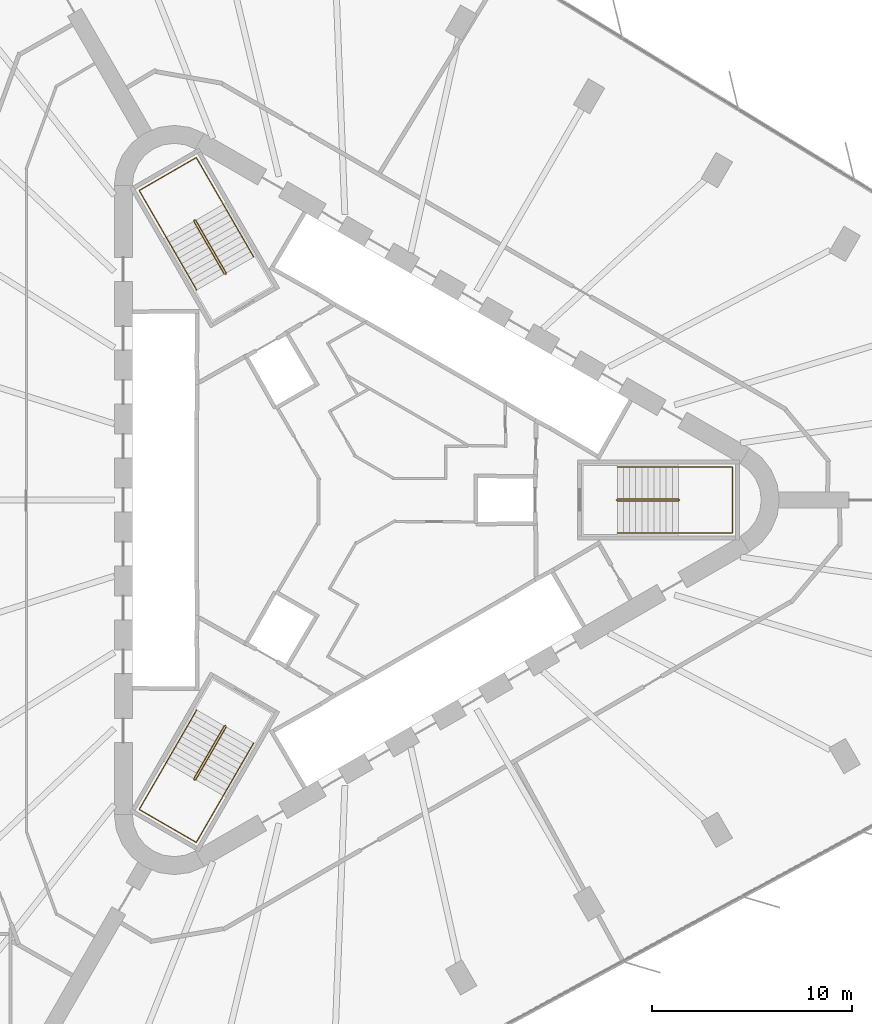
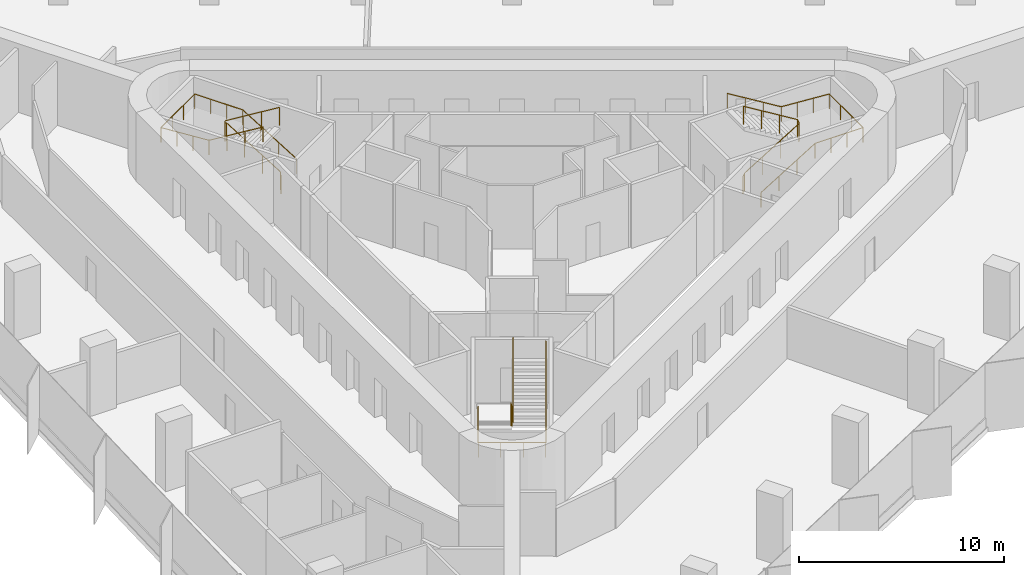
# One storey, part 13 of 13: 6 railings.
"""IFC4 building model written with IfcOpenShell, lengths in metres."""

from ifc_helpers import new_model, si_unit, direction, frame, origin, origin_2d, place, context, subcontext, project, spatial, circle, extrude, material, type_object, element, save


model = new_model("IFC4")

# Units and contexts
model_context = context("Model", 3, precision=1e-05, world=origin(), true_north=direction((0.0, 1.0)))
body_context = subcontext(model_context, "Body", "Model", "MODEL_VIEW")
ifc_project = project(units=[si_unit("LENGTHUNIT", "METRE"), si_unit("AREAUNIT", "SQUARE_METRE"), si_unit("VOLUMEUNIT", "CUBIC_METRE"), si_unit("PLANEANGLEUNIT", "RADIAN"), si_unit("MASSUNIT", "GRAM", prefix="KILO")], contexts=[model_context])

# Site, building, storey
site_placement = place(None, origin())
site = spatial("IfcSite", under=ifc_project, at=site_placement, CompositionType="ELEMENT")
building_placement = place(site_placement, origin())
building = spatial("IfcBuilding", under=site, at=building_placement, Name="Tanit Gate Tower", CompositionType="ELEMENT")
storey_placement = place(building_placement, frame((0.0, 0.0, 57.800048828125)))
storey = spatial("IfcBuildingStorey", under=building, at=storey_placement, Name="L10", CompositionType="ELEMENT", Elevation=57.800048828125)

# Railings
ifc_material_1 = material(Name="Stainless steel balustrade", Category="steel")
railing_type_1 = type_object("IfcRailingType", Name="INT-STAIR-GUARD", PredefinedType="GUARDRAIL", material=ifc_material_1)
railing_1_placement = place(storey_placement, frame((13.044921875, 0.0048828125, 0.0)))
element("IfcRailing", 1, at=railing_1_placement, inside=storey, type_object=railing_type_1, Name="L10 S1 stair guard 1", PredefinedType="GUARDRAIL", context=body_context, shape_type="SweptSolid", body=[
    extrude(circle(Radius=0.02392578125, at=origin_2d()), frame((0.0, 0.0, 1.076171875), z_axis=(0.0, -1.0, 0.0), x_axis=(1.0, 0.0, 0.0)), (0.0, 0.0, 1.0), 0.009765625),
    extrude(circle(Radius=0.02392578125, at=origin_2d()), frame((0.0, -0.009765625, 1.076171875), z_axis=(0.251157038772, -0.251157038772, 0.934794246747), x_axis=(0.707106781187, 0.707106781187, 0.0)), (0.0, 0.0, 1.0), 0.19921875),
    extrude(circle(Radius=0.02392578125, at=origin_2d()), frame((0.050048828125, -0.059814453125, 1.26220703125), z_axis=(0.853374658889, 0.0, 0.521298083217), x_axis=(0.0, 1.0, 0.0)), (0.0, 0.0, 1.0), 3.5751953125),
    extrude(circle(Radius=0.02392578125, at=origin_2d()), frame((3.10107421875, -0.059814453125, 3.1259765625), z_axis=(0.707106781187, 0.707106781187, 0.0), x_axis=(-0.707106781187, 0.707106781187, 0.0)), (0.0, 0.0, 1.0), 0.07080078125),
    extrude(circle(Radius=0.02392578125, at=origin_2d()), frame((3.151123046875, -0.009765625, 3.1259765625), z_axis=(0.0, 1.0, 0.0), x_axis=(-1.0, 0.0, 0.0)), (0.0, 0.0, 1.0), 0.009765625),
    extrude(circle(Radius=0.02392578125, at=origin_2d()), frame((3.151123046875, 0.0, 3.1259765625), z_axis=(-0.251157038772, 0.251157038772, 0.934794246747), x_axis=(-0.707106781187, -0.707106781187, 0.0)), (0.0, 0.0, 1.0), 0.19921875),
    extrude(circle(Radius=0.02392578125, at=origin_2d()), frame((3.10107421875, 0.050048828125, 3.3125), z_axis=(-0.853405036568, 0.0, 0.521248351134), x_axis=(0.0, -1.0, 0.0)), (0.0, 0.0, 1.0), 3.5751953125),
    extrude(circle(Radius=0.02099609375, at=origin_2d()), origin(), (0.0, 0.0, 1.0), 1.052001953125),
    extrude(circle(Radius=0.02099609375, at=origin_2d()), frame((0.0, -0.009765625, 0.0)), (0.0, 0.0, 1.0), 1.052001953125),
    extrude(circle(Radius=0.02099609375, at=origin_2d()), frame((0.050048828125, -0.059814453125, 0.186279296875)), (0.0, 0.0, 1.0), 1.052001953125),
    extrude(circle(Radius=0.02099609375, at=origin_2d()), frame((1.067138671875, -0.059814453125, 0.8076171875)), (0.0, 0.0, 1.0), 1.052001953125),
    extrude(circle(Radius=0.02099609375, at=origin_2d()), frame((2.083984375, -0.059814453125, 1.4287109375)), (0.0, 0.0, 1.0), 1.052001953125),
    extrude(circle(Radius=0.02099609375, at=origin_2d()), frame((3.10107421875, -0.059814453125, 2.050048828125)), (0.0, 0.0, 1.0), 1.052001953125),
    extrude(circle(Radius=0.02099609375, at=origin_2d()), frame((3.151123046875, -0.009765625, 2.050048828125)), (0.0, 0.0, 1.0), 1.052001953125),
    extrude(circle(Radius=0.02099609375, at=origin_2d()), frame((3.151123046875, 0.0, 2.050048828125)), (0.0, 0.0, 1.0), 1.052001953125),
    extrude(circle(Radius=0.02099609375, at=origin_2d()), frame((3.10107421875, 0.050048828125, 2.236328125)), (0.0, 0.0, 1.0), 1.052001953125),
    extrude(circle(Radius=0.02099609375, at=origin_2d()), frame((2.083984375, 0.050048828125, 2.857421875)), (0.0, 0.0, 1.0), 1.052001953125),
    extrude(circle(Radius=0.02099609375, at=origin_2d()), frame((1.067138671875, 0.050048828125, 3.478759765625)), (0.0, 0.0, 1.0), 1.052001953125),
    extrude(circle(Radius=0.02099609375, at=origin_2d()), frame((0.050048828125, 0.050048828125, 4.099853515625)), (0.0, 0.0, 1.0), 1.052001953125),
])
railing_2_placement = place(storey_placement, frame((-6.527099609375, 11.29345703125, 0.0)))
element("IfcRailing", 2, at=railing_2_placement, inside=storey, type_object=railing_type_1, Name="L10 S2 stair guard 1", PredefinedType="GUARDRAIL", context=body_context, shape_type="SweptSolid", body=[
    extrude(circle(Radius=0.02392578125, at=origin_2d()), frame((0.0, 0.0, 1.076171875), z_axis=(0.868243142124, 0.496138938357, 0.0), x_axis=(-0.496138938357, 0.868243142124, 0.0)), (0.0, 0.0, 1.0), 0.01171875),
    extrude(circle(Radius=0.02392578125, at=origin_2d()), frame((0.01025390625, 0.005859375, 1.076171875), z_axis=(0.091888445584, 0.343050196848, 0.93481178641), x_axis=(-0.965948051503, 0.258736085224, 0.0)), (0.0, 0.0, 1.0), 0.19921875),
    extrude(circle(Radius=0.02392578125, at=origin_2d()), frame((0.028564453125, 0.07421875, 1.26220703125), z_axis=(-0.426636495959, 0.738911183393, 0.521528104107), x_axis=(-0.866012246495, -0.500022788402, 0.0)), (0.0, 0.0, 1.0), 3.57373046875),
    extrude(circle(Radius=0.02392578125, at=origin_2d()), frame((-1.49609375, 2.71484375, 3.1259765625), z_axis=(-0.965715946433, 0.259601060869, 0.0), x_axis=(-0.259601060869, -0.965715946433, 0.0)), (0.0, 0.0, 1.0), 0.070556640625),
    extrude(circle(Radius=0.02392578125, at=origin_2d()), frame((-1.564208984375, 2.733154296875, 3.1259765625), z_axis=(-0.873197702015, -0.487366159264, 0.0), x_axis=(0.487366159264, -0.873197702015, 0.0)), (0.0, 0.0, 1.0), 0.011962890625),
    extrude(circle(Radius=0.02392578125, at=origin_2d()), frame((-1.57470703125, 2.727294921875, 3.1259765625), z_axis=(-0.091888445584, -0.343050196848, 0.93481178641), x_axis=(0.965948051503, -0.258736085224, 0.0)), (0.0, 0.0, 1.0), 0.19921875),
    extrude(circle(Radius=0.02392578125, at=origin_2d()), frame((-1.593017578125, 2.658935546875, 3.3125), z_axis=(0.426651696395, -0.73893750972, 0.521478366466), x_axis=(0.866012246495, 0.500022788402, 0.0)), (0.0, 0.0, 1.0), 3.573486328125),
    extrude(circle(Radius=0.02099609375, at=origin_2d()), origin(), (0.0, 0.0, 1.0), 1.052001953125),
    extrude(circle(Radius=0.02099609375, at=origin_2d()), frame((0.01025390625, 0.005859375, 0.0)), (0.0, 0.0, 1.0), 1.052001953125),
    extrude(circle(Radius=0.02099609375, at=origin_2d()), frame((0.028564453125, 0.07421875, 0.186279296875)), (0.0, 0.0, 1.0), 1.052001953125),
    extrude(circle(Radius=0.02099609375, at=origin_2d()), frame((-0.479736328125, 0.954345703125, 0.8076171875)), (0.0, 0.0, 1.0), 1.052001953125),
    extrude(circle(Radius=0.02099609375, at=origin_2d()), frame((-0.98779296875, 1.834716796875, 1.4287109375)), (0.0, 0.0, 1.0), 1.052001953125),
    extrude(circle(Radius=0.02099609375, at=origin_2d()), frame((-1.49609375, 2.71484375, 2.050048828125)), (0.0, 0.0, 1.0), 1.052001953125),
    extrude(circle(Radius=0.02099609375, at=origin_2d()), frame((-1.564208984375, 2.733154296875, 2.050048828125)), (0.0, 0.0, 1.0), 1.052001953125),
    extrude(circle(Radius=0.02099609375, at=origin_2d()), frame((-1.57470703125, 2.727294921875, 2.050048828125)), (0.0, 0.0, 1.0), 1.052001953125),
    extrude(circle(Radius=0.02099609375, at=origin_2d()), frame((-1.593017578125, 2.658935546875, 2.236328125)), (0.0, 0.0, 1.0), 1.052001953125),
    extrude(circle(Radius=0.02099609375, at=origin_2d()), frame((-1.084716796875, 1.77880859375, 2.857421875)), (0.0, 0.0, 1.0), 1.052001953125),
    extrude(circle(Radius=0.02099609375, at=origin_2d()), frame((-0.57666015625, 0.8984375, 3.478759765625)), (0.0, 0.0, 1.0), 1.052001953125),
    extrude(circle(Radius=0.02099609375, at=origin_2d()), frame((-0.068359375, 0.018310546875, 4.099853515625)), (0.0, 0.0, 1.0), 1.052001953125),
])
railing_3_placement = place(storey_placement, frame((-6.51806640625, -11.2998046875, 0.0)))
element("IfcRailing", 3, at=railing_3_placement, inside=storey, type_object=railing_type_1, Name="L10 S3 stair guard 1", PredefinedType="GUARDRAIL", context=body_context, shape_type="SweptSolid", body=[
    extrude(circle(Radius=0.02392578125, at=origin_2d()), frame((0.0, 0.0, 1.076171875), z_axis=(-0.874157276122, 0.485642931179, 0.0), x_axis=(-0.485642931179, -0.874157276122, 0.0)), (0.0, 0.0, 1.0), 0.010009765625),
    extrude(circle(Radius=0.02392578125, at=origin_2d()), frame((-0.0087890625, 0.0048828125, 1.076171875), z_axis=(-0.343088566343, -0.090673406819, 0.934916343285), x_axis=(0.255512919477, -0.966805641264, 0.0)), (0.0, 0.0, 1.0), 0.19921875),
    extrude(circle(Radius=0.02392578125, at=origin_2d()), frame((-0.0771484375, -0.01318359375, 1.26220703125), z_axis=(-0.42665336134, -0.739063593114, 0.52129829713), x_axis=(0.866048339477, -0.499960272111, 0.0)), (0.0, 0.0, 1.0), 3.5751953125),
    extrude(circle(Radius=0.02392578125, at=origin_2d()), frame((-1.6025390625, -2.655517578125, 3.1259765625), z_axis=(0.258736085224, -0.965948051503, 0.0), x_axis=(0.965948051503, 0.258736085224, 0.0)), (0.0, 0.0, 1.0), 0.07080078125),
    extrude(circle(Radius=0.02392578125, at=origin_2d()), frame((-1.584228515625, -2.723876953125, 3.1259765625), z_axis=(0.868243142124, -0.496138938357, 0.0), x_axis=(0.496138938357, 0.868243142124, 0.0)), (0.0, 0.0, 1.0), 0.009765625),
    extrude(circle(Radius=0.02392578125, at=origin_2d()), frame((-1.57568359375, -2.728759765625, 3.1259765625), z_axis=(0.343050196848, 0.091888445584, 0.93481178641), x_axis=(-0.258736085224, 0.965948051503, 0.0)), (0.0, 0.0, 1.0), 0.19921875),
    extrude(circle(Radius=0.02392578125, at=origin_2d()), frame((-1.50732421875, -2.71044921875, 3.3125), z_axis=(0.426745940485, 0.73903737685, 0.521259683745), x_axis=(-0.865993683553, 0.500054937028, 0.0)), (0.0, 0.0, 1.0), 3.574951171875),
    extrude(circle(Radius=0.02099609375, at=origin_2d()), origin(), (0.0, 0.0, 1.0), 1.052001953125),
    extrude(circle(Radius=0.02099609375, at=origin_2d()), frame((-0.0087890625, 0.0048828125, 0.0)), (0.0, 0.0, 1.0), 1.052001953125),
    extrude(circle(Radius=0.02099609375, at=origin_2d()), frame((-0.0771484375, -0.01318359375, 0.186279296875)), (0.0, 0.0, 1.0), 1.052001953125),
    extrude(circle(Radius=0.02099609375, at=origin_2d()), frame((-0.585693359375, -0.89404296875, 0.8076171875)), (0.0, 0.0, 1.0), 1.052001953125),
    extrude(circle(Radius=0.02099609375, at=origin_2d()), frame((-1.093994140625, -1.774658203125, 1.4287109375)), (0.0, 0.0, 1.0), 1.052001953125),
    extrude(circle(Radius=0.02099609375, at=origin_2d()), frame((-1.6025390625, -2.655517578125, 2.050048828125)), (0.0, 0.0, 1.0), 1.052001953125),
    extrude(circle(Radius=0.02099609375, at=origin_2d()), frame((-1.584228515625, -2.723876953125, 2.050048828125)), (0.0, 0.0, 1.0), 1.052001953125),
    extrude(circle(Radius=0.02099609375, at=origin_2d()), frame((-1.57568359375, -2.728759765625, 2.050048828125)), (0.0, 0.0, 1.0), 1.052001953125),
    extrude(circle(Radius=0.02099609375, at=origin_2d()), frame((-1.50732421875, -2.71044921875, 2.236328125)), (0.0, 0.0, 1.0), 1.052001953125),
    extrude(circle(Radius=0.02099609375, at=origin_2d()), frame((-0.998779296875, -1.829833984375, 2.857421875)), (0.0, 0.0, 1.0), 1.052001953125),
    extrude(circle(Radius=0.02099609375, at=origin_2d()), frame((-0.490234375, -0.948974609375, 3.478759765625)), (0.0, 0.0, 1.0), 1.052001953125),
    extrude(circle(Radius=0.02099609375, at=origin_2d()), frame((0.018310546875, -0.068359375, 4.099853515625)), (0.0, 0.0, 1.0), 1.052001953125),
])
ifc_material_2 = material(Name="Stainless steel handrail", Category="steel")
railing_type_2 = type_object("IfcRailingType", Name="INT-STAIR-HANDRAIL", PredefinedType="HANDRAIL", material=ifc_material_2)
railing_4_placement = place(storey_placement, frame((13.094970703125, -1.64990234375, 0.186279296875)))
element("IfcRailing", 4, at=railing_4_placement, inside=storey, type_object=railing_type_2, Name="L10 S1 stair handrail 1", PredefinedType="HANDRAIL", context=body_context, shape_type="SweptSolid", body=[
    extrude(circle(Radius=0.02392578125, at=origin_2d()), frame((0.0, 0.0, 0.8759765625), z_axis=(0.853374658889, 0.0, 0.521298083217), x_axis=(0.0, 1.0, 0.0)), (0.0, 0.0, 1.0), 3.5751953125),
    extrude(circle(Radius=0.02392578125, at=origin_2d()), frame((3.051025390625, 0.0, 2.73974609375), z_axis=(1.0, 0.0, 0.0), x_axis=(0.0, 1.0, 0.0)), (0.0, 0.0, 1.0), 2.7041015625),
    extrude(circle(Radius=0.02392578125, at=origin_2d()), frame((5.755126953125, 0.0, 2.73974609375), z_axis=(0.0, 1.0, 0.0), x_axis=(-1.0, 0.0, 0.0)), (0.0, 0.0, 1.0), 3.2998046875),
    extrude(circle(Radius=0.02392578125, at=origin_2d()), frame((5.755126953125, 3.2998046875, 2.73974609375), z_axis=(-0.997635655124, 0.0, 0.06872481084), x_axis=(0.0, -1.0, 0.0)), (0.0, 0.0, 1.0), 2.71044921875),
    extrude(circle(Radius=0.02392578125, at=origin_2d()), frame((3.051025390625, 3.2998046875, 2.92578125), z_axis=(-0.853405036568, 0.0, 0.521248351134), x_axis=(0.0, -1.0, 0.0)), (0.0, 0.0, 1.0), 3.5751953125),
    extrude(circle(Radius=0.02099609375, at=origin_2d()), origin(), (0.0, 0.0, 1.0), 0.851806640625),
    extrude(circle(Radius=0.02099609375, at=origin_2d()), frame((1.01708984375, 0.0, 0.621337890625)), (0.0, 0.0, 1.0), 0.851806640625),
    extrude(circle(Radius=0.02099609375, at=origin_2d()), frame((2.033935546875, 0.0, 1.242431640625)), (0.0, 0.0, 1.0), 0.851806640625),
    extrude(circle(Radius=0.02099609375, at=origin_2d()), frame((3.051025390625, 0.0, 1.86376953125)), (0.0, 0.0, 1.0), 0.851806640625),
    extrude(circle(Radius=0.02099609375, at=origin_2d()), frame((3.952392578125, 0.0, 1.86376953125)), (0.0, 0.0, 1.0), 0.851806640625),
    extrude(circle(Radius=0.02099609375, at=origin_2d()), frame((4.853759765625, 0.0, 1.86376953125)), (0.0, 0.0, 1.0), 0.851806640625),
    extrude(circle(Radius=0.02099609375, at=origin_2d()), frame((5.755126953125, 0.0, 1.86376953125)), (0.0, 0.0, 1.0), 0.851806640625),
    extrude(circle(Radius=0.02099609375, at=origin_2d()), frame((5.755126953125, 1.099853515625, 1.86376953125)), (0.0, 0.0, 1.0), 0.851806640625),
    extrude(circle(Radius=0.02099609375, at=origin_2d()), frame((5.755126953125, 2.199951171875, 1.86376953125)), (0.0, 0.0, 1.0), 0.851806640625),
    extrude(circle(Radius=0.02099609375, at=origin_2d()), frame((5.755126953125, 3.2998046875, 1.86376953125)), (0.0, 0.0, 1.0), 0.851806640625),
    extrude(circle(Radius=0.02099609375, at=origin_2d()), frame((4.853759765625, 3.2998046875, 1.92578125)), (0.0, 0.0, 1.0), 0.851806640625),
    extrude(circle(Radius=0.02099609375, at=origin_2d()), frame((3.952392578125, 3.2998046875, 1.988037109375)), (0.0, 0.0, 1.0), 0.851806640625),
    extrude(circle(Radius=0.02099609375, at=origin_2d()), frame((3.051025390625, 3.2998046875, 2.050048828125)), (0.0, 0.0, 1.0), 0.851806640625),
    extrude(circle(Radius=0.02099609375, at=origin_2d()), frame((2.033935546875, 3.2998046875, 2.671142578125)), (0.0, 0.0, 1.0), 0.851806640625),
    extrude(circle(Radius=0.02099609375, at=origin_2d()), frame((1.01708984375, 3.2998046875, 3.29248046875)), (0.0, 0.0, 1.0), 0.851806640625),
    extrude(circle(Radius=0.02099609375, at=origin_2d()), frame((0.0, 3.2998046875, 3.91357421875)), (0.0, 0.0, 1.0), 0.851806640625),
])
railing_5_placement = place(storey_placement, frame((-5.1181640625, 12.164794921875, 0.186279296875)))
element("IfcRailing", 5, at=railing_5_placement, inside=storey, type_object=railing_type_2, Name="L10 S2 stair handrail 1", PredefinedType="HANDRAIL", context=body_context, shape_type="SweptSolid", body=[
    extrude(circle(Radius=0.02392578125, at=origin_2d()), frame((0.0, 0.0, 0.8759765625), z_axis=(-0.426580611902, 0.738932719144, 0.521543304174), x_axis=(-0.866046917185, -0.499962735845, 0.0)), (0.0, 0.0, 1.0), 3.573486328125),
    extrude(circle(Radius=0.02392578125, at=origin_2d()), frame((-1.5244140625, 2.640625, 2.73974609375), z_axis=(-0.500019123664, 0.86601436245, 0.0), x_axis=(-0.86601436245, -0.500019123664, 0.0)), (0.0, 0.0, 1.0), 2.70703125),
    extrude(circle(Radius=0.02392578125, at=origin_2d()), frame((-2.8779296875, 4.98486328125, 2.73974609375), z_axis=(-0.866008176907, -0.50002983664, 0.0), x_axis=(0.50002983664, -0.866008176907, 0.0)), (0.0, 0.0, 1.0), 3.300048828125),
    extrude(circle(Radius=0.02392578125, at=origin_2d()), frame((-5.73583984375, 3.334716796875, 2.73974609375), z_axis=(0.498878146149, -0.863948246966, 0.06865873476), x_axis=(0.865991810323, 0.500058181068, 0.0)), (0.0, 0.0, 1.0), 2.713134765625),
    extrude(circle(Radius=0.02392578125, at=origin_2d()), frame((-4.38232421875, 0.99072265625, 2.92578125), z_axis=(0.426630158194, -0.738968522208, 0.521452041232), x_axis=(0.866032263162, 0.499988119021, 0.0)), (0.0, 0.0, 1.0), 3.57373046875),
    extrude(circle(Radius=0.02099609375, at=origin_2d()), origin(), (0.0, 0.0, 1.0), 0.851806640625),
    extrude(circle(Radius=0.02099609375, at=origin_2d()), frame((-0.508056640625, 0.880126953125, 0.621337890625)), (0.0, 0.0, 1.0), 0.851806640625),
    extrude(circle(Radius=0.02099609375, at=origin_2d()), frame((-1.016357421875, 1.760498046875, 1.242431640625)), (0.0, 0.0, 1.0), 0.851806640625),
    extrude(circle(Radius=0.02099609375, at=origin_2d()), frame((-1.5244140625, 2.640625, 1.86376953125)), (0.0, 0.0, 1.0), 0.851806640625),
    extrude(circle(Radius=0.02099609375, at=origin_2d()), frame((-1.9755859375, 3.422119140625, 1.86376953125)), (0.0, 0.0, 1.0), 0.851806640625),
    extrude(circle(Radius=0.02099609375, at=origin_2d()), frame((-2.4267578125, 4.203369140625, 1.86376953125)), (0.0, 0.0, 1.0), 0.851806640625),
    extrude(circle(Radius=0.02099609375, at=origin_2d()), frame((-2.8779296875, 4.98486328125, 1.86376953125)), (0.0, 0.0, 1.0), 0.851806640625),
    extrude(circle(Radius=0.02099609375, at=origin_2d()), frame((-3.83056640625, 4.434814453125, 1.86376953125)), (0.0, 0.0, 1.0), 0.851806640625),
    extrude(circle(Radius=0.02099609375, at=origin_2d()), frame((-4.783203125, 3.884765625, 1.86376953125)), (0.0, 0.0, 1.0), 0.851806640625),
    extrude(circle(Radius=0.02099609375, at=origin_2d()), frame((-5.73583984375, 3.334716796875, 1.86376953125)), (0.0, 0.0, 1.0), 0.851806640625),
    extrude(circle(Radius=0.02099609375, at=origin_2d()), frame((-5.28466796875, 2.553466796875, 1.92578125)), (0.0, 0.0, 1.0), 0.851806640625),
    extrude(circle(Radius=0.02099609375, at=origin_2d()), frame((-4.83349609375, 1.77197265625, 1.988037109375)), (0.0, 0.0, 1.0), 0.851806640625),
    extrude(circle(Radius=0.02099609375, at=origin_2d()), frame((-4.38232421875, 0.99072265625, 2.050048828125)), (0.0, 0.0, 1.0), 0.851806640625),
    extrude(circle(Radius=0.02099609375, at=origin_2d()), frame((-3.8740234375, 0.1103515625, 2.671142578125)), (0.0, 0.0, 1.0), 0.851806640625),
    extrude(circle(Radius=0.02099609375, at=origin_2d()), frame((-3.365966796875, -0.769775390625, 3.29248046875)), (0.0, 0.0, 1.0), 0.851806640625),
    extrude(circle(Radius=0.02099609375, at=origin_2d()), frame((-2.857666015625, -1.650146484375, 3.91357421875)), (0.0, 0.0, 1.0), 0.851806640625),
])
railing_6_placement = place(storey_placement, frame((-7.9765625, -10.515625, 0.186279296875)))
element("IfcRailing", 6, at=railing_6_placement, inside=storey, type_object=railing_type_2, Name="L10 S3 stair handrail 1", PredefinedType="HANDRAIL", context=body_context, shape_type="SweptSolid", body=[
    extrude(circle(Radius=0.02392578125, at=origin_2d()), frame((0.0, 0.0, 0.8759765625), z_axis=(-0.42665336134, -0.739063593114, 0.52129829713), x_axis=(0.866048339477, -0.499960272111, 0.0)), (0.0, 0.0, 1.0), 3.5751953125),
    extrude(circle(Radius=0.02392578125, at=origin_2d()), frame((-1.525390625, -2.642333984375, 2.73974609375), z_axis=(-0.50004290449, -0.866000631449, 0.0), x_axis=(0.866000631449, -0.50004290449, 0.0)), (0.0, 0.0, 1.0), 2.703857421875),
    extrude(circle(Radius=0.02392578125, at=origin_2d()), frame((-2.87744140625, -4.98388671875, 2.73974609375), z_axis=(0.866008176907, -0.50002983664, 0.0), x_axis=(0.50002983664, 0.866008176907, 0.0)), (0.0, 0.0, 1.0), 3.300048828125),
    extrude(circle(Radius=0.02392578125, at=origin_2d()), frame((-0.01953125, -6.634033203125, 2.73974609375), z_axis=(0.498821607388, 0.86397559734, 0.068725331607), x_axis=(-0.866023205937, 0.500003806764, 0.0)), (0.0, 0.0, 1.0), 2.71044921875),
    extrude(circle(Radius=0.02392578125, at=origin_2d()), frame((1.33251953125, -4.292236328125, 2.92578125), z_axis=(0.426668548982, 0.73908990167, 0.521248565042), x_axis=(-0.866048339477, 0.499960272111, 0.0)), (0.0, 0.0, 1.0), 3.5751953125),
    extrude(circle(Radius=0.02099609375, at=origin_2d()), origin(), (0.0, 0.0, 1.0), 0.851806640625),
    extrude(circle(Radius=0.02099609375, at=origin_2d()), frame((-0.508544921875, -0.880859375, 0.621337890625)), (0.0, 0.0, 1.0), 0.851806640625),
    extrude(circle(Radius=0.02099609375, at=origin_2d()), frame((-1.016845703125, -1.761474609375, 1.242431640625)), (0.0, 0.0, 1.0), 0.851806640625),
    extrude(circle(Radius=0.02099609375, at=origin_2d()), frame((-1.525390625, -2.642333984375, 1.86376953125)), (0.0, 0.0, 1.0), 0.851806640625),
    extrude(circle(Radius=0.02099609375, at=origin_2d()), frame((-1.97607421875, -3.4228515625, 1.86376953125)), (0.0, 0.0, 1.0), 0.851806640625),
    extrude(circle(Radius=0.02099609375, at=origin_2d()), frame((-2.4267578125, -4.203369140625, 1.86376953125)), (0.0, 0.0, 1.0), 0.851806640625),
    extrude(circle(Radius=0.02099609375, at=origin_2d()), frame((-2.87744140625, -4.98388671875, 1.86376953125)), (0.0, 0.0, 1.0), 0.851806640625),
    extrude(circle(Radius=0.02099609375, at=origin_2d()), frame((-1.9248046875, -5.533935546875, 1.86376953125)), (0.0, 0.0, 1.0), 0.851806640625),
    extrude(circle(Radius=0.02099609375, at=origin_2d()), frame((-0.97216796875, -6.083984375, 1.86376953125)), (0.0, 0.0, 1.0), 0.851806640625),
    extrude(circle(Radius=0.02099609375, at=origin_2d()), frame((-0.01953125, -6.634033203125, 1.86376953125)), (0.0, 0.0, 1.0), 0.851806640625),
    extrude(circle(Radius=0.02099609375, at=origin_2d()), frame((0.43115234375, -5.853515625, 1.92578125)), (0.0, 0.0, 1.0), 0.851806640625),
    extrude(circle(Radius=0.02099609375, at=origin_2d()), frame((0.8818359375, -5.07275390625, 1.988037109375)), (0.0, 0.0, 1.0), 0.851806640625),
    extrude(circle(Radius=0.02099609375, at=origin_2d()), frame((1.33251953125, -4.292236328125, 2.050048828125)), (0.0, 0.0, 1.0), 0.851806640625),
    extrude(circle(Radius=0.02099609375, at=origin_2d()), frame((1.841064453125, -3.411376953125, 2.671142578125)), (0.0, 0.0, 1.0), 0.851806640625),
    extrude(circle(Radius=0.02099609375, at=origin_2d()), frame((2.349365234375, -2.53076171875, 3.29248046875)), (0.0, 0.0, 1.0), 0.851806640625),
    extrude(circle(Radius=0.02099609375, at=origin_2d()), frame((2.85791015625, -1.64990234375, 3.91357421875)), (0.0, 0.0, 1.0), 0.851806640625),
])

save(model, "model.ifc")
